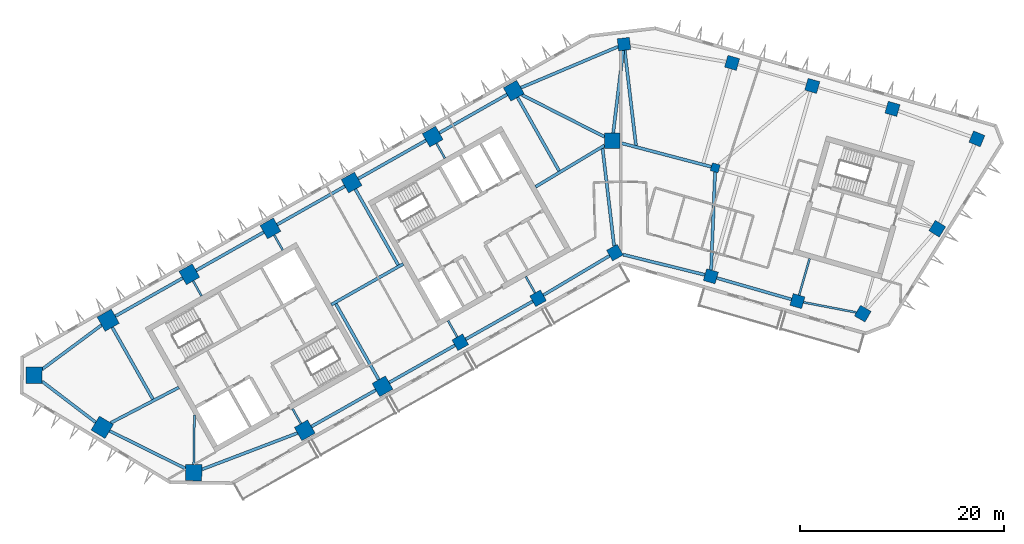
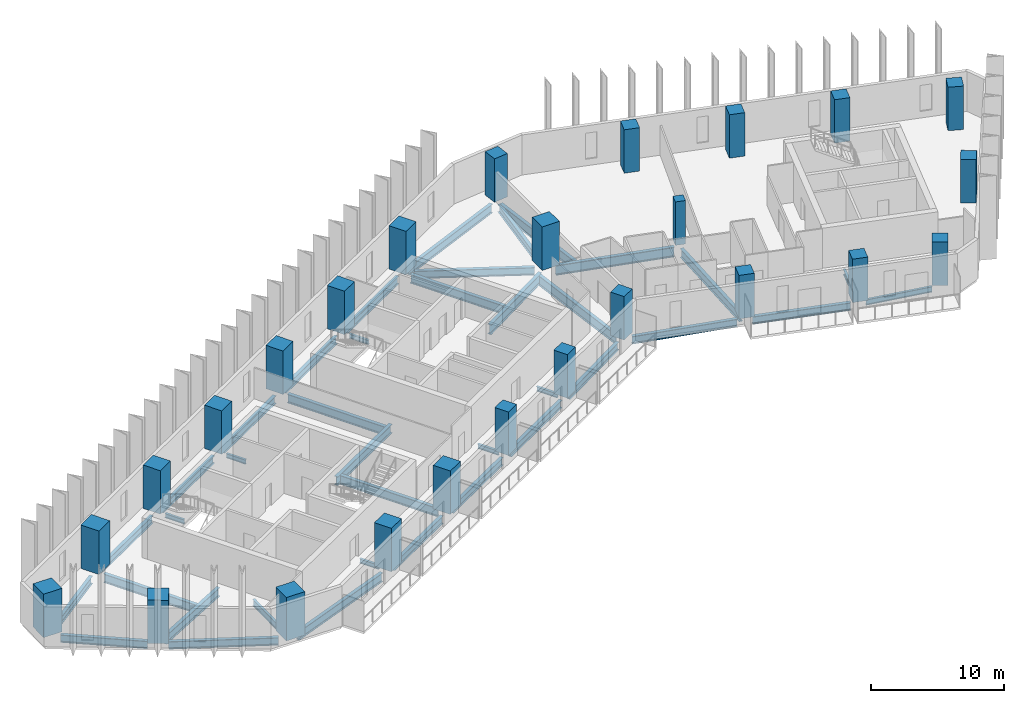
# One storey, part 1 of 10: 38 beams, 25 columns.
"""IFC4 building model written with IfcOpenShell, lengths in metres."""

from ifc_helpers import new_model, si_unit, direction, frame, origin, origin_2d, place, context, subcontext, project, spatial, rectangle, i_section, extrude, material, material_profile, profile_set, type_object, element, save


model = new_model("IFC4")

# Units and contexts
model_context = context("Model", 3, precision=1e-05, world=origin(), true_north=direction((0.0, 1.0)))
body_context = subcontext(model_context, "Body", "Model", "MODEL_VIEW")
ifc_project = project(units=[si_unit("LENGTHUNIT", "METRE"), si_unit("AREAUNIT", "SQUARE_METRE"), si_unit("VOLUMEUNIT", "CUBIC_METRE"), si_unit("PLANEANGLEUNIT", "RADIAN"), si_unit("MASSUNIT", "GRAM", prefix="KILO")], contexts=[model_context])

# Site, building, storey
site_placement = place(None, origin())
site = spatial("IfcSite", under=ifc_project, at=site_placement, CompositionType="ELEMENT")
building_placement = place(site_placement, origin())
building = spatial("IfcBuilding", under=site, at=building_placement, Name="Binnacle Exchange Tower", CompositionType="ELEMENT")
storey_placement = place(building_placement, frame((0.0, 0.0, 186.89990234375)))
storey = spatial("IfcBuildingStorey", under=building, at=storey_placement, Name="L40", CompositionType="ELEMENT", Elevation=186.89990234375)

# Columns
ifc_material_1 = material(Name="Concrete C60/75", Category="concrete")
ifc_material_profile_1 = material_profile(ifc_material_1, rectangle(XDim=0.800048828125, YDim=0.800048828125, at=origin_2d()), Name="Column 800x800 C60/75")
ifc_profile_set_1 = profile_set([ifc_material_profile_1], Name="Concrete C60/75")
column_type_1 = type_object("IfcColumnType", Name="Column 800x800 C60/75", PredefinedType="COLUMN", material=ifc_profile_set_1)
column_placement = place(storey_placement, frame((9.240966796875, 57.35009765625, 0.0), z_axis=(0.0, 0.0, 1.0), x_axis=(0.961261695938, -0.275637355817, 0.0)))
element("IfcColumn", 1, at=column_placement, inside=storey, type_object=column_type_1, Name="S:COL:C19:L40", PredefinedType="COLUMN", context=body_context, shape_type="SweptSolid", body=[
    extrude(rectangle(XDim=0.800048828125, YDim=0.800048828125, at=origin_2d()), origin(), (0.0, 0.0, 1.0), 4.0),
])
ifc_material_2 = material(Name="Concrete C70/85", Category="concrete")
ifc_material_profile_2 = material_profile(ifc_material_2, rectangle(XDim=1.199951171875, YDim=1.199951171875, at=origin_2d()), Name="Mega column 1200x1200 C70/85")
ifc_profile_set_2 = profile_set([ifc_material_profile_2], Name="Concrete C70/85")
column_type_2 = type_object("IfcColumnType", Name="Mega column 1200x1200 C70/85", PredefinedType="COLUMN", material=ifc_profile_set_2)
for number, where, z_axis, x_axis, name in (
    (2, (26.602783203125, 63.12353515625, 0.0), (0.0, 0.0, 1.0), (-0.961261695938, 0.275637355817, 0.0), "S:COL:MC52:L40"),
    (3, (18.746337890625, 65.376220703125, 0.0), (0.0, 0.0, 1.0), (-0.961261695938, 0.275637355817, 0.0), "S:COL:MC50:L40"),
    (4, (10.889892578125, 67.62890625, 0.0), (0.0, 0.0, 1.0), (-0.961261695938, 0.275637355817, 0.0), "S:COL:MC48:L40"),
    (5, (0.300048828125, 69.464111328125, 0.0), (0.0, 0.0, 1.0), (-0.993068456955, -0.117537397458, 0.0), "S:COL:MC47:L40"),
    (6, (-15.736328125, 40.257080078125, 0.0), (0.0, 0.0, 1.0), (0.87035569594, 0.492423560103, 0.0), "S:COL:MC24:L40"),
    (7, (-8.116943359375, 44.568115234375, 0.0), (0.0, 0.0, 1.0), (0.87035569594, 0.492423560103, 0.0), "S:COL:MC35:L40"),
    (8, (-0.5908203125, 49.04443359375, 0.0), (0.0, 0.0, 1.0), (0.87035569594, 0.492423560103, 0.0), "S:COL:MC46:L40"),
    (9, (8.8095703125, 46.722412109375, 0.0), (0.0, 0.0, 1.0), (0.961261695938, -0.275637355817, 0.0), "S:COL:MC49:L40"),
    (10, (17.2880859375, 44.291015625, 0.0), (0.0, 0.0, 1.0), (0.961261695938, -0.275637355817, 0.0), "S:COL:MC51:L40"),
    (11, (23.690185546875, 43.062744140625, 0.0), (0.0, 0.0, 1.0), (-0.86532642813, 0.501208711795, 0.0), "S:COL:MC53:L40"),
    (12, (30.989501953125, 51.38623046875, 0.0), (0.0, 0.0, 1.0), (0.529919264233, 0.848048096156, 0.0), "S:COL:MC55:L40"),
    (13, (34.870361328125, 60.18701171875, 0.0), (0.0, 0.0, 1.0), (-0.922814001807, 0.385245789164, 0.0), "S:COL:MC54:L40"),
):
    element("IfcColumn", number, at=place(storey_placement, frame(where, z_axis=z_axis, x_axis=x_axis)), inside=storey, type_object=column_type_2, Name=name, PredefinedType="COLUMN", context=body_context, shape_type="SweptSolid", body=[
        extrude(rectangle(XDim=1.199951171875, YDim=1.199951171875, at=origin_2d()), origin(), (0.0, 0.0, 1.0), 4.0),
    ])
ifc_material_profile_3 = material_profile(ifc_material_2, rectangle(XDim=1.5, YDim=1.5, at=origin_2d()), Name="Mega column 1500x1500 C70/85")
ifc_profile_set_3 = profile_set([ifc_material_profile_3], Name="Concrete C70/85")
column_type_3 = type_object("IfcColumnType", Name="Mega column 1500x1500 C70/85", PredefinedType="COLUMN", material=ifc_profile_set_3)
for number, where, z_axis, x_axis, name in (
    (14, (-10.4951171875, 64.901611328125, 0.0), (0.0, 0.0, 1.0), (-0.87035569594, -0.492423560103, 0.0), "S:COL:MC38:L40"),
    (15, (-18.44140625, 60.406005859375, 0.0), (0.0, 0.0, 1.0), (-0.87035569594, -0.492423560103, 0.0), "S:COL:MC29:L40"),
    (16, (-26.3876953125, 55.91015625, 0.0), (0.0, 0.0, 1.0), (-0.87035569594, -0.492423560103, 0.0), "S:COL:MC21:L40"),
    (17, (-34.333740234375, 51.414306640625, 0.0), (0.0, 0.0, 1.0), (-0.87035569594, -0.492423560103, 0.0), "S:COL:MC13:L40"),
    (18, (-42.280029296875, 46.918701171875, 0.0), (0.0, 0.0, 1.0), (-0.87035569594, -0.492423560103, 0.0), "S:COL:MC08:L40"),
    (19, (-30.9755859375, 31.63525390625, 0.0), (0.0, 0.0, 1.0), (0.87035569594, 0.492423560103, 0.0), "S:COL:MC07:L40"),
    (20, (-23.35595703125, 35.9462890625, 0.0), (0.0, 0.0, 1.0), (0.87035569594, 0.492423560103, 0.0), "S:COL:MC16:L40"),
    (21, (-0.85009765625, 60.0, 0.0), (0.0, 0.0, 1.0), (0.0, 1.0, 0.0), "S:COL:MC45:L40"),
):
    element("IfcColumn", number, at=place(storey_placement, frame(where, z_axis=z_axis, x_axis=x_axis)), inside=storey, type_object=column_type_3, Name=name, PredefinedType="COLUMN", context=body_context, shape_type="SweptSolid", body=[
        extrude(rectangle(XDim=1.5, YDim=1.5, at=origin_2d()), origin(), (0.0, 0.0, 1.0), 4.0),
    ])
ifc_material_profile_4 = material_profile(ifc_material_2, rectangle(XDim=1.60009765625, YDim=1.60009765625, at=origin_2d()), Name="Mega column 1600x1600 C70/85")
ifc_profile_set_4 = profile_set([ifc_material_profile_4], Name="Concrete C70/85")
column_type_4 = type_object("IfcColumnType", Name="Mega column 1600x1600 C70/85", PredefinedType="COLUMN", material=ifc_profile_set_4)
for number, where, z_axis, x_axis, name in (
    (22, (-50.226318359375, 42.4228515625, 0.0), (0.0, 0.0, 1.0), (-0.87035569594, -0.492423560103, 0.0), "S:COL:MC04:L40"),
    (23, (-57.492919921875, 37.02734375, 0.0), (0.0, 0.0, 1.0), (-0.013089595571, -0.999914327574, 0.0), "S:COL:MC02:L40"),
    (24, (-50.81201171875, 31.930908203125, 0.0), (0.0, 0.0, 1.0), (0.857167300702, -0.51503807491, 0.0), "S:COL:MC01:L40"),
    (25, (-41.857666015625, 27.494873046875, 0.0), (0.0, 0.0, 1.0), (0.999914327574, -0.013089595571, 0.0), "S:COL:MC03:L40"),
):
    element("IfcColumn", number, at=place(storey_placement, frame(where, z_axis=z_axis, x_axis=x_axis)), inside=storey, type_object=column_type_4, Name=name, PredefinedType="COLUMN", context=body_context, shape_type="SweptSolid", body=[
        extrude(rectangle(XDim=1.60009765625, YDim=1.60009765625, at=origin_2d()), origin(), (0.0, 0.0, 1.0), 4.0),
    ])

# Beams
ifc_material_3 = material(Name="Steel S355 (SHN355)", Category="steel")
ifc_material_profile_5 = material_profile(ifc_material_3, i_section(OverallWidth=0.200927734375, OverallDepth=0.506103515625, WebThickness=0.010986328125, FlangeThickness=0.01904296875, FilletRadius=0.02001953125, at=origin_2d()), Name="H 506x201x11x19")
ifc_profile_set_5 = profile_set([ifc_material_profile_5], Name="Steel S355 (SHN355)")
beam_type_1 = type_object("IfcBeamType", Name="Edge girder H 506x201x11x19 Steel S355 (SHN355)", PredefinedType="SPANDREL", material=ifc_profile_set_5)
beam_1_placement = place(storey_placement, frame((17.8798828125, 44.177490234375, -0.572998046875), z_axis=(0.982085171807, -0.188437563446, 0.0), x_axis=(0.188437563446, 0.982085171807, 0.0)))
element("IfcBeam", 26, at=beam_1_placement, inside=storey, type_object=beam_type_1, Name="S:BM:edge:L40:028", PredefinedType="SPANDREL", context=body_context, shape_type="SweptSolid", body=[
    extrude(i_section(OverallWidth=0.200927734375, OverallDepth=0.506103515625, WebThickness=0.010986328125, FlangeThickness=0.01904296875, FilletRadius=0.02001953125, at=origin_2d()), origin(), (0.0, 0.0, 1.0), 5.281005859375),
])
ifc_material_profile_6 = material_profile(ifc_material_3, i_section(OverallWidth=0.300048828125, OverallDepth=0.699951171875, WebThickness=0.012939453125, FlangeThickness=0.02392578125, FilletRadius=0.028076171875, at=origin_2d()), Name="H 700x300x13x24")
ifc_profile_set_6 = profile_set([ifc_material_profile_6], Name="Steel S355 (SHN355)")
beam_type_2 = type_object("IfcBeamType", Name="Edge girder H 700x300x13x24 Steel S355 (SHN355)", PredefinedType="SPANDREL", material=ifc_profile_set_6)
beam_2_placement = place(storey_placement, frame((-56.70068359375, 36.423095703125, -0.669921875), z_axis=(0.795078424379, -0.606506635649, 0.0), x_axis=(0.606506635649, 0.795078424379, 0.0)))
element("IfcBeam", 27, at=beam_2_placement, inside=storey, type_object=beam_type_2, Name="S:BM:edge:L40:011", PredefinedType="SPANDREL", context=body_context, shape_type="SweptSolid", body=[
    extrude(i_section(OverallWidth=0.300048828125, OverallDepth=0.699951171875, WebThickness=0.012939453125, FlangeThickness=0.02392578125, FilletRadius=0.028076171875, at=origin_2d()), origin(), (0.0, 0.0, 1.0), 6.6015625),
])
beam_3_placement = place(storey_placement, frame((-50.87353515625, 41.9423828125, -0.669921875), z_axis=(-0.802872533272, -0.596150732044, 0.0), x_axis=(0.596150732044, -0.802872533272, 0.0)))
element("IfcBeam", 28, at=beam_3_placement, inside=storey, type_object=beam_type_2, Name="S:BM:edge:L40:012", PredefinedType="SPANDREL", context=body_context, shape_type="SweptSolid", body=[
    extrude(i_section(OverallWidth=0.300048828125, OverallDepth=0.699951171875, WebThickness=0.012939453125, FlangeThickness=0.02392578125, FilletRadius=0.028076171875, at=origin_2d()), origin(), (0.0, 0.0, 1.0), 7.238525390625),
])
beam_4_placement = place(storey_placement, frame((-50.0927734375, 31.57470703125, -0.669921875), z_axis=(0.896061869104, -0.443929191131, 0.0), x_axis=(0.443929191131, 0.896061869104, 0.0)))
element("IfcBeam", 29, at=beam_4_placement, inside=storey, type_object=beam_type_2, Name="S:BM:edge:L40:013", PredefinedType="SPANDREL", context=body_context, shape_type="SweptSolid", body=[
    extrude(i_section(OverallWidth=0.300048828125, OverallDepth=0.699951171875, WebThickness=0.012939453125, FlangeThickness=0.02392578125, FilletRadius=0.028076171875, at=origin_2d()), origin(), (0.0, 0.0, 1.0), 8.30322265625),
])
beam_5_placement = place(storey_placement, frame((-42.932861328125, 46.54931640625, -0.669921875), z_axis=(-0.870352192811, -0.492429751811, 0.0), x_axis=(0.492429751811, -0.870352192811, 0.0)))
element("IfcBeam", 30, at=beam_5_placement, inside=storey, type_object=beam_type_2, Name="S:BM:edge:L40:014", PredefinedType="SPANDREL", context=body_context, shape_type="SweptSolid", body=[
    extrude(i_section(OverallWidth=0.300048828125, OverallDepth=0.699951171875, WebThickness=0.012939453125, FlangeThickness=0.02392578125, FilletRadius=0.028076171875, at=origin_2d()), origin(), (0.0, 0.0, 1.0), 7.57958984375),
])
beam_6_placement = place(storey_placement, frame((-34.986572265625, 51.045166015625, -0.669921875), z_axis=(-0.870355964277, -0.492423085818, 0.0), x_axis=(0.492423085818, -0.870355964277, 0.0)))
element("IfcBeam", 31, at=beam_6_placement, inside=storey, type_object=beam_type_2, Name="S:BM:edge:L40:016", PredefinedType="SPANDREL", context=body_context, shape_type="SweptSolid", body=[
    extrude(i_section(OverallWidth=0.300048828125, OverallDepth=0.699951171875, WebThickness=0.012939453125, FlangeThickness=0.02392578125, FilletRadius=0.028076171875, at=origin_2d()), origin(), (0.0, 0.0, 1.0), 7.6298828125),
])
beam_7_placement = place(storey_placement, frame((-30.32275390625, 32.004638671875, -0.669921875), z_axis=(0.870355920795, 0.492423162674, 0.0), x_axis=(-0.492423162674, 0.870355920795, 0.0)))
element("IfcBeam", 32, at=beam_7_placement, inside=storey, type_object=beam_type_2, Name="S:BM:edge:L40:017", PredefinedType="SPANDREL", context=body_context, shape_type="SweptSolid", body=[
    extrude(i_section(OverallWidth=0.300048828125, OverallDepth=0.699951171875, WebThickness=0.012939453125, FlangeThickness=0.02392578125, FilletRadius=0.028076171875, at=origin_2d()), origin(), (0.0, 0.0, 1.0), 7.25439453125),
])
beam_8_placement = place(storey_placement, frame((-27.040283203125, 55.541015625, -0.669921875), z_axis=(-0.870342250182, -0.492447324643, 0.0), x_axis=(0.492447324643, -0.870342250182, 0.0)))
element("IfcBeam", 33, at=beam_8_placement, inside=storey, type_object=beam_type_2, Name="S:BM:edge:L40:018", PredefinedType="SPANDREL", context=body_context, shape_type="SweptSolid", body=[
    extrude(i_section(OverallWidth=0.300048828125, OverallDepth=0.699951171875, WebThickness=0.012939453125, FlangeThickness=0.02392578125, FilletRadius=0.028076171875, at=origin_2d()), origin(), (0.0, 0.0, 1.0), 7.6298828125),
])
beam_9_placement = place(storey_placement, frame((-22.703125, 36.3154296875, -0.669921875), z_axis=(0.87035151347, 0.49243095252, 0.0), x_axis=(-0.49243095252, 0.87035151347, 0.0)))
element("IfcBeam", 34, at=beam_9_placement, inside=storey, type_object=beam_type_2, Name="S:BM:edge:L40:019", PredefinedType="SPANDREL", context=body_context, shape_type="SweptSolid", body=[
    extrude(i_section(OverallWidth=0.300048828125, OverallDepth=0.699951171875, WebThickness=0.012939453125, FlangeThickness=0.02392578125, FilletRadius=0.028076171875, at=origin_2d()), origin(), (0.0, 0.0, 1.0), 7.404541015625),
])
beam_10_placement = place(storey_placement, frame((-19.093994140625, 60.03662109375, -0.669921875), z_axis=(-0.870363722936, -0.492409372165, 0.0), x_axis=(0.492409372165, -0.870363722936, 0.0)))
element("IfcBeam", 35, at=beam_10_placement, inside=storey, type_object=beam_type_2, Name="S:BM:edge:L40:020", PredefinedType="SPANDREL", context=body_context, shape_type="SweptSolid", body=[
    extrude(i_section(OverallWidth=0.300048828125, OverallDepth=0.699951171875, WebThickness=0.012939453125, FlangeThickness=0.02392578125, FilletRadius=0.028076171875, at=origin_2d()), origin(), (0.0, 0.0, 1.0), 7.6298828125),
])
beam_11_placement = place(storey_placement, frame((-15.214111328125, 40.552734375, -0.669921875), z_axis=(0.870353295418, 0.492427802988, 0.0), x_axis=(-0.492427802988, 0.870353295418, 0.0)))
element("IfcBeam", 36, at=beam_11_placement, inside=storey, type_object=beam_type_2, Name="S:BM:edge:L40:021", PredefinedType="SPANDREL", context=body_context, shape_type="SweptSolid", body=[
    extrude(i_section(OverallWidth=0.300048828125, OverallDepth=0.699951171875, WebThickness=0.012939453125, FlangeThickness=0.02392578125, FilletRadius=0.028076171875, at=origin_2d()), origin(), (0.0, 0.0, 1.0), 7.554443359375),
])
beam_12_placement = place(storey_placement, frame((-11.14794921875, 64.532470703125, -0.669921875), z_axis=(-0.870355964277, -0.492423085818, 0.0), x_axis=(0.492423085818, -0.870355964277, 0.0)))
element("IfcBeam", 37, at=beam_12_placement, inside=storey, type_object=beam_type_2, Name="S:BM:edge:L40:022", PredefinedType="SPANDREL", context=body_context, shape_type="SweptSolid", body=[
    extrude(i_section(OverallWidth=0.300048828125, OverallDepth=0.699951171875, WebThickness=0.012939453125, FlangeThickness=0.02392578125, FilletRadius=0.028076171875, at=origin_2d()), origin(), (0.0, 0.0, 1.0), 7.6298828125),
])
beam_13_placement = place(storey_placement, frame((-7.60107421875, 44.875, -0.669921875), z_axis=(0.85946222832, 0.511199254783, 0.0), x_axis=(-0.511199254783, 0.85946222832, 0.0)))
element("IfcBeam", 38, at=beam_13_placement, inside=storey, type_object=beam_type_2, Name="S:BM:edge:L40:023", PredefinedType="SPANDREL", context=body_context, shape_type="SweptSolid", body=[
    extrude(i_section(OverallWidth=0.300048828125, OverallDepth=0.699951171875, WebThickness=0.012939453125, FlangeThickness=0.02392578125, FilletRadius=0.028076171875, at=origin_2d()), origin(), (0.0, 0.0, 1.0), 7.556396484375),
])
beam_14_placement = place(storey_placement, frame((0.21044921875, 48.846435546875, -0.669921875), z_axis=(0.970817017645, -0.239821429924, 0.0), x_axis=(0.239821429924, 0.970817017645, 0.0)))
element("IfcBeam", 39, at=beam_14_placement, inside=storey, type_object=beam_type_2, Name="S:BM:edge:L40:025", PredefinedType="SPANDREL", context=body_context, shape_type="SweptSolid", body=[
    extrude(i_section(OverallWidth=0.300048828125, OverallDepth=0.699951171875, WebThickness=0.012939453125, FlangeThickness=0.02392578125, FilletRadius=0.028076171875, at=origin_2d()), origin(), (0.0, 0.0, 1.0), 8.257080078125),
])
beam_15_placement = place(storey_placement, frame((9.38623046875, 46.556884765625, -0.669921875), z_axis=(0.961266012815, -0.275622300635, 0.0), x_axis=(0.275622300635, 0.961266012815, 0.0)))
element("IfcBeam", 40, at=beam_15_placement, inside=storey, type_object=beam_type_2, Name="S:BM:edge:L40:026", PredefinedType="SPANDREL", context=body_context, shape_type="SweptSolid", body=[
    extrude(i_section(OverallWidth=0.300048828125, OverallDepth=0.699951171875, WebThickness=0.012939453125, FlangeThickness=0.02392578125, FilletRadius=0.028076171875, at=origin_2d()), origin(), (0.0, 0.0, 1.0), 7.620361328125),
])
ifc_material_profile_7 = material_profile(ifc_material_3, i_section(OverallWidth=0.300048828125, OverallDepth=0.800048828125, WebThickness=0.013916015625, FlangeThickness=0.02587890625, FilletRadius=0.028076171875, at=origin_2d()), Name="H 800x300x14x26")
ifc_profile_set_7 = profile_set([ifc_material_profile_7], Name="Steel S355 (SHN355)")
beam_type_3 = type_object("IfcBeamType", Name="Edge girder H 800x300x14x26 Steel S355 (SHN355)", PredefinedType="SPANDREL", material=ifc_profile_set_7)
beam_16_placement = place(storey_placement, frame((-41.0537109375, 27.80078125, -0.719970703125), z_axis=(0.934633884233, 0.355611448695, 0.0), x_axis=(-0.355611448695, 0.934633884233, 0.0)))
element("IfcBeam", 41, at=beam_16_placement, inside=storey, type_object=beam_type_3, Name="S:BM:edge:L40:015", PredefinedType="SPANDREL", context=body_context, shape_type="SweptSolid", body=[
    extrude(i_section(OverallWidth=0.300048828125, OverallDepth=0.800048828125, WebThickness=0.013916015625, FlangeThickness=0.02587890625, FilletRadius=0.028076171875, at=origin_2d()), origin(), (0.0, 0.0, 1.0), 10.024169921875),
])
beam_17_placement = place(storey_placement, frame((-0.275390625, 69.220947265625, -0.719970703125), z_axis=(-0.921111875234, -0.389297974953, 0.0), x_axis=(0.389297974953, -0.921111875234, 0.0)))
element("IfcBeam", 42, at=beam_17_placement, inside=storey, type_object=beam_type_3, Name="S:BM:edge:L40:024", PredefinedType="SPANDREL", context=body_context, shape_type="SweptSolid", body=[
    extrude(i_section(OverallWidth=0.300048828125, OverallDepth=0.800048828125, WebThickness=0.013916015625, FlangeThickness=0.02587890625, FilletRadius=0.028076171875, at=origin_2d()), origin(), (0.0, 0.0, 1.0), 10.340087890625),
])
ifc_material_profile_8 = material_profile(ifc_material_3, i_section(OverallWidth=0.199951171875, OverallDepth=0.39990234375, WebThickness=0.008056640625, FlangeThickness=0.012939453125, FilletRadius=0.01611328125, at=origin_2d()), Name="H 400x200x8x13")
ifc_profile_set_8 = profile_set([ifc_material_profile_8], Name="Steel S355 (SHN355)")
beam_type_4 = type_object("IfcBeamType", Name="Floor beam H 400x200x8x13 Steel S355 (SHN355)", PredefinedType="BEAM", material=ifc_profile_set_8)
beam_18_placement = place(storey_placement, frame((-41.91064453125, 46.265869140625, -0.52001953125), z_axis=(0.49243456751, -0.870349468157, 0.0), x_axis=(0.870349468157, 0.49243456751, 0.0)))
element("IfcBeam", 43, at=beam_18_placement, inside=storey, type_object=beam_type_4, Name="S:BM:cross:L40:035", PredefinedType="BEAM", context=body_context, shape_type="SweptSolid", body=[
    extrude(i_section(OverallWidth=0.199951171875, OverallDepth=0.39990234375, WebThickness=0.008056640625, FlangeThickness=0.012939453125, FilletRadius=0.01611328125, at=origin_2d()), origin(), (0.0, 0.0, 1.0), 1.68408203125),
])
beam_19_placement = place(storey_placement, frame((-33.964599609375, 50.76171875, -0.52001953125), z_axis=(0.492482237839, -0.870322495063, 0.0), x_axis=(0.870322495063, 0.492482237839, 0.0)))
element("IfcBeam", 44, at=beam_19_placement, inside=storey, type_object=beam_type_4, Name="S:BM:cross:L40:037", PredefinedType="BEAM", context=body_context, shape_type="SweptSolid", body=[
    extrude(i_section(OverallWidth=0.199951171875, OverallDepth=0.39990234375, WebThickness=0.008056640625, FlangeThickness=0.012939453125, FilletRadius=0.01611328125, at=origin_2d()), origin(), (0.0, 0.0, 1.0), 1.6845703125),
])
for number, where, z_axis, x_axis, name in (
    (45, (-31.344970703125, 32.2880859375, -0.52001953125), (-0.49243456751, 0.870349468157, 0.0), (-0.870349468157, -0.49243456751, 0.0), "S:BM:cross:L40:038"),
    (46, (-18.072021484375, 59.753173828125, -0.52001953125), (0.49243456751, -0.870349468157, 0.0), (0.870349468157, 0.49243456751, 0.0), "S:BM:cross:L40:041"),
):
    element("IfcBeam", number, at=place(storey_placement, frame(where, z_axis=z_axis, x_axis=x_axis)), inside=storey, type_object=beam_type_4, Name=name, PredefinedType="BEAM", context=body_context, shape_type="SweptSolid", body=[
        extrude(i_section(OverallWidth=0.199951171875, OverallDepth=0.39990234375, WebThickness=0.008056640625, FlangeThickness=0.012939453125, FilletRadius=0.01611328125, at=origin_2d()), origin(), (0.0, 0.0, 1.0), 1.68408203125),
    ])
beam_20_placement = place(storey_placement, frame((-16.031982421875, 40.779296875, -0.52001953125), z_axis=(-0.492307212856, 0.870421511781, 0.0), x_axis=(-0.870421511781, -0.492307212856, 0.0)))
element("IfcBeam", 47, at=beam_20_placement, inside=storey, type_object=beam_type_4, Name="S:BM:cross:L40:042", PredefinedType="BEAM", context=body_context, shape_type="SweptSolid", body=[
    extrude(i_section(OverallWidth=0.199951171875, OverallDepth=0.39990234375, WebThickness=0.008056640625, FlangeThickness=0.012939453125, FilletRadius=0.01611328125, at=origin_2d()), origin(), (0.0, 0.0, 1.0), 1.83447265625),
])
beam_21_placement = place(storey_placement, frame((-8.412353515625, 45.09033203125, -0.52001953125), z_axis=(-0.492465079532, 0.87033220407, 0.0), x_axis=(-0.87033220407, -0.492465079532, 0.0)))
element("IfcBeam", 48, at=beam_21_placement, inside=storey, type_object=beam_type_4, Name="S:BM:cross:L40:044", PredefinedType="BEAM", context=body_context, shape_type="SweptSolid", body=[
    extrude(i_section(OverallWidth=0.199951171875, OverallDepth=0.39990234375, WebThickness=0.008056640625, FlangeThickness=0.012939453125, FilletRadius=0.01611328125, at=origin_2d()), origin(), (0.0, 0.0, 1.0), 1.834228515625),
])
ifc_material_profile_9 = material_profile(ifc_material_3, i_section(OverallWidth=0.199951171875, OverallDepth=0.5, WebThickness=0.010009765625, FlangeThickness=0.01611328125, FilletRadius=0.02001953125, at=origin_2d()), Name="H 500x200x10x16")
ifc_profile_set_9 = profile_set([ifc_material_profile_9], Name="Steel S355 (SHN355)")
beam_type_5 = type_object("IfcBeamType", Name="Floor beam H 500x200x10x16 Steel S355 (SHN355)", PredefinedType="BEAM", material=ifc_profile_set_9)
beam_22_placement = place(storey_placement, frame((17.45361328125, 44.867919921875, -0.56982421875), z_axis=(0.275644746045, 0.961259576794, 0.0), x_axis=(-0.961259576794, 0.275644746045, 0.0)))
element("IfcBeam", 49, at=beam_22_placement, inside=storey, type_object=beam_type_5, Name="S:BM:cross:L40:049", PredefinedType="BEAM", context=body_context, shape_type="SweptSolid", body=[
    extrude(i_section(OverallWidth=0.199951171875, OverallDepth=0.5, WebThickness=0.010009765625, FlangeThickness=0.01611328125, FilletRadius=0.02001953125, at=origin_2d()), origin(), (0.0, 0.0, 1.0), 3.735107421875),
])
ifc_material_profile_10 = material_profile(ifc_material_3, i_section(OverallWidth=0.200927734375, OverallDepth=0.60595703125, WebThickness=0.011962890625, FlangeThickness=0.02001953125, FilletRadius=0.02197265625, at=origin_2d()), Name="H 606x201x12x20")
ifc_profile_set_10 = profile_set([ifc_material_profile_10], Name="Steel S355 (SHN355)")
beam_type_6 = type_object("IfcBeamType", Name="Floor beam H 606x201x12x20 Steel S355 (SHN355)", PredefinedType="BEAM", material=ifc_profile_set_10)
beam_23_placement = place(storey_placement, frame((-41.84716796875, 28.294677734375, -0.622802734375), z_axis=(0.013085908175, 0.999914375838, 0.0), x_axis=(-0.999914375838, 0.013085908175, 0.0)))
element("IfcBeam", 50, at=beam_23_placement, inside=storey, type_object=beam_type_6, Name="S:BM:cross:L40:036", PredefinedType="BEAM", context=body_context, shape_type="SweptSolid", body=[
    extrude(i_section(OverallWidth=0.200927734375, OverallDepth=0.60595703125, WebThickness=0.011962890625, FlangeThickness=0.02001953125, FilletRadius=0.02197265625, at=origin_2d()), origin(), (0.0, 0.0, 1.0), 4.850830078125),
])
ifc_material_profile_11 = material_profile(ifc_material_3, i_section(OverallWidth=0.302001953125, OverallDepth=0.80810546875, WebThickness=0.01611328125, FlangeThickness=0.030029296875, FilletRadius=0.028076171875, at=origin_2d()), Name="H 808x302x16x30")
ifc_profile_set_11 = profile_set([ifc_material_profile_11], Name="Steel S355 (SHN355)")
beam_type_7 = type_object("IfcBeamType", Name="Floor beam H 808x302x16x30 Steel S355 (SHN355)", PredefinedType="BEAM", material=ifc_profile_set_11)
beam_24_placement = place(storey_placement, frame((-49.832275390625, 41.7265625, -0.723876953125), z_axis=(0.492430056331, -0.870352020519, 0.0), x_axis=(0.870352020519, 0.492430056331, 0.0)))
element("IfcBeam", 51, at=beam_24_placement, inside=storey, type_object=beam_type_7, Name="S:BM:cross:L40:034", PredefinedType="BEAM", context=body_context, shape_type="SweptSolid", body=[
    extrude(i_section(OverallWidth=0.302001953125, OverallDepth=0.80810546875, WebThickness=0.01611328125, FlangeThickness=0.030029296875, FilletRadius=0.028076171875, at=origin_2d()), origin(), (0.0, 0.0, 1.0), 8.09130859375),
])
for number, where, z_axis, x_axis, name in (
    (52, (-26.018310546875, 55.25732421875, -0.723876953125), (0.4924220214, -0.870356566495, 0.0), (0.870356566495, 0.4924220214, 0.0), "S:BM:cross:L40:039"),
    (53, (-23.725341796875, 36.59912109375, -0.723876953125), (-0.4924220214, 0.870356566495, 0.0), (-0.870356566495, -0.4924220214, 0.0), "S:BM:cross:L40:040"),
):
    element("IfcBeam", number, at=place(storey_placement, frame(where, z_axis=z_axis, x_axis=x_axis)), inside=storey, type_object=beam_type_7, Name=name, PredefinedType="BEAM", context=body_context, shape_type="SweptSolid", body=[
        extrude(i_section(OverallWidth=0.302001953125, OverallDepth=0.80810546875, WebThickness=0.01611328125, FlangeThickness=0.030029296875, FilletRadius=0.028076171875, at=origin_2d()), origin(), (0.0, 0.0, 1.0), 8.5341796875),
    ])
beam_25_placement = place(storey_placement, frame((-10.125732421875, 64.248779296875, -0.723876953125), z_axis=(0.492423973828, -0.870355461866, 0.0), x_axis=(0.870355461866, 0.492423973828, 0.0)))
element("IfcBeam", 54, at=beam_25_placement, inside=storey, type_object=beam_type_7, Name="S:BM:cross:L40:043", PredefinedType="BEAM", context=body_context, shape_type="SweptSolid", body=[
    extrude(i_section(OverallWidth=0.302001953125, OverallDepth=0.80810546875, WebThickness=0.01611328125, FlangeThickness=0.030029296875, FilletRadius=0.028076171875, at=origin_2d()), origin(), (0.0, 0.0, 1.0), 8.269287109375),
])
ifc_material_profile_12 = material_profile(ifc_material_3, i_section(OverallWidth=0.302001953125, OverallDepth=0.912109375, WebThickness=0.01806640625, FlangeThickness=0.033935546875, FilletRadius=0.028076171875, at=origin_2d()), Name="H 912x302x18x34")
ifc_profile_set_12 = profile_set([ifc_material_profile_12], Name="Steel S355 (SHN355)")
beam_type_8 = type_object("IfcBeamType", Name="Floor beam H 912x302x18x34 Steel S355 (SHN355)", PredefinedType="BEAM", material=ifc_profile_set_12)
beam_26_placement = place(storey_placement, frame((-0.66748046875, 49.690673828125, -0.77587890625), z_axis=(-0.117518220547, 0.993070726504, 0.0), x_axis=(-0.993070726504, -0.117518220547, 0.0)))
element("IfcBeam", 55, at=beam_26_placement, inside=storey, type_object=beam_type_8, Name="S:BM:cross:L40:045", PredefinedType="BEAM", context=body_context, shape_type="SweptSolid", body=[
    extrude(i_section(OverallWidth=0.302001953125, OverallDepth=0.912109375, WebThickness=0.01806640625, FlangeThickness=0.033935546875, FilletRadius=0.028076171875, at=origin_2d()), origin(), (0.0, 0.0, 1.0), 9.645751953125),
])
beam_27_placement = place(storey_placement, frame((0.37060546875, 68.868408203125, -0.77587890625), z_axis=(0.117552497625, -0.993066669616, 0.0), x_axis=(0.993066669616, 0.117552497625, 0.0)))
element("IfcBeam", 56, at=beam_27_placement, inside=storey, type_object=beam_type_8, Name="S:BM:cross:L40:046", PredefinedType="BEAM", context=body_context, shape_type="SweptSolid", body=[
    extrude(i_section(OverallWidth=0.302001953125, OverallDepth=0.912109375, WebThickness=0.01806640625, FlangeThickness=0.033935546875, FilletRadius=0.028076171875, at=origin_2d()), origin(), (0.0, 0.0, 1.0), 9.39990234375),
])
ifc_material_profile_13 = material_profile(ifc_material_3, i_section(OverallWidth=0.300048828125, OverallDepth=0.699951171875, WebThickness=0.012939453125, FlangeThickness=0.02392578125, FilletRadius=0.028076171875, at=origin_2d()), Name="H 700x300x13x24")
ifc_profile_set_13 = profile_set([ifc_material_profile_13], Name="Steel S355 (SHN355)")
beam_type_9 = type_object("IfcBeamType", Name="Spine girder H 700x300x13x24 Steel S355 (SHN355)", PredefinedType="BEAM", material=ifc_profile_set_13)
beam_28_placement = place(storey_placement, frame((-0.7587890625, 60.75, -0.669921875), z_axis=(0.120620829002, 0.992698652971, 0.0), x_axis=(-0.992698652971, 0.120620829002, 0.0)))
element("IfcBeam", 57, at=beam_28_placement, inside=storey, type_object=beam_type_9, Name="S:BM:spine:L40:005", PredefinedType="BEAM", context=body_context, shape_type="SweptSolid", body=[
    extrude(i_section(OverallWidth=0.300048828125, OverallDepth=0.699951171875, WebThickness=0.012939453125, FlangeThickness=0.02392578125, FilletRadius=0.028076171875, at=origin_2d()), origin(), (0.0, 0.0, 1.0), 8.160888671875),
])
ifc_material_profile_14 = material_profile(ifc_material_3, i_section(OverallWidth=0.302001953125, OverallDepth=0.7080078125, WebThickness=0.014892578125, FlangeThickness=0.028076171875, FilletRadius=0.028076171875, at=origin_2d()), Name="H 708x302x15x28")
ifc_profile_set_14 = profile_set([ifc_material_profile_14], Name="Steel S355 (SHN355)")
beam_type_10 = type_object("IfcBeamType", Name="Spine girder H 708x302x15x28 Steel S355 (SHN355)", PredefinedType="BEAM", material=ifc_profile_set_14)
beam_29_placement = place(storey_placement, frame((-1.60009765625, 60.381103515625, -0.673828125), z_axis=(-0.891476459322, 0.453067017641, 0.0), x_axis=(-0.453067017641, -0.891476459322, 0.0)))
element("IfcBeam", 58, at=beam_29_placement, inside=storey, type_object=beam_type_10, Name="S:BM:spine:L40:004", PredefinedType="BEAM", context=body_context, shape_type="SweptSolid", body=[
    extrude(i_section(OverallWidth=0.302001953125, OverallDepth=0.7080078125, WebThickness=0.014892578125, FlangeThickness=0.028076171875, FilletRadius=0.028076171875, at=origin_2d()), origin(), (0.0, 0.0, 1.0), 9.07763671875),
])
ifc_material_profile_15 = material_profile(ifc_material_3, i_section(OverallWidth=0.302001953125, OverallDepth=0.80810546875, WebThickness=0.01611328125, FlangeThickness=0.030029296875, FilletRadius=0.028076171875, at=origin_2d()), Name="H 808x302x16x30")
ifc_profile_set_15 = profile_set([ifc_material_profile_15], Name="Steel S355 (SHN355)")
beam_type_11 = type_object("IfcBeamType", Name="Spine girder H 808x302x16x30 Steel S355 (SHN355)", PredefinedType="BEAM", material=ifc_profile_set_15)
beam_30_placement = place(storey_placement, frame((-49.979736328125, 32.3642578125, -0.723876953125), z_axis=(0.886978621009, 0.461810486968, 0.0), x_axis=(-0.461810486968, 0.886978621009, 0.0)))
element("IfcBeam", 59, at=beam_30_placement, inside=storey, type_object=beam_type_11, Name="S:BM:spine:L40:001", PredefinedType="BEAM", context=body_context, shape_type="SweptSolid", body=[
    extrude(i_section(OverallWidth=0.302001953125, OverallDepth=0.80810546875, WebThickness=0.01611328125, FlangeThickness=0.030029296875, FilletRadius=0.028076171875, at=origin_2d()), origin(), (0.0, 0.0, 1.0), 7.522216796875),
])
beam_31_placement = place(storey_placement, frame((-28.365478515625, 43.951416015625, -0.723876953125), z_axis=(0.870350319004, 0.492433063684, 0.0), x_axis=(-0.492433063684, 0.870350319004, 0.0)))
element("IfcBeam", 60, at=beam_31_placement, inside=storey, type_object=beam_type_11, Name="S:BM:spine:L40:002", PredefinedType="BEAM", context=body_context, shape_type="SweptSolid", body=[
    extrude(i_section(OverallWidth=0.302001953125, OverallDepth=0.80810546875, WebThickness=0.01611328125, FlangeThickness=0.030029296875, FilletRadius=0.028076171875, at=origin_2d()), origin(), (0.0, 0.0, 1.0), 8.0908203125),
])
beam_32_placement = place(storey_placement, frame((9.22412109375, 56.93896484375, -0.723876953125), z_axis=(-0.040556634715, -0.999177241224, 0.0), x_axis=(0.999177241224, -0.040556634715, 0.0)))
element("IfcBeam", 61, at=beam_32_placement, inside=storey, type_object=beam_type_11, Name="S:BM:spine:L40:007", PredefinedType="BEAM", context=body_context, shape_type="SweptSolid", body=[
    extrude(i_section(OverallWidth=0.302001953125, OverallDepth=0.80810546875, WebThickness=0.01611328125, FlangeThickness=0.030029296875, FilletRadius=0.028076171875, at=origin_2d()), origin(), (0.0, 0.0, 1.0), 9.607421875),
])
ifc_material_profile_16 = material_profile(ifc_material_3, i_section(OverallWidth=0.302001953125, OverallDepth=0.912109375, WebThickness=0.01806640625, FlangeThickness=0.033935546875, FilletRadius=0.028076171875, at=origin_2d()), Name="H 912x302x18x34")
ifc_profile_set_16 = profile_set([ifc_material_profile_16], Name="Steel S355 (SHN355)")
beam_type_12 = type_object("IfcBeamType", Name="Spine girder H 912x302x18x34 Steel S355 (SHN355)", PredefinedType="BEAM", material=ifc_profile_set_16)
beam_33_placement = place(storey_placement, frame((-8.36328125, 55.489990234375, -0.77587890625), z_axis=(0.857386401747, 0.514673253724, 0.0), x_axis=(-0.514673253724, 0.857386401747, 0.0)))
element("IfcBeam", 62, at=beam_33_placement, inside=storey, type_object=beam_type_12, Name="S:BM:spine:L40:003", PredefinedType="BEAM", context=body_context, shape_type="SweptSolid", body=[
    extrude(i_section(OverallWidth=0.302001953125, OverallDepth=0.912109375, WebThickness=0.01806640625, FlangeThickness=0.033935546875, FilletRadius=0.028076171875, at=origin_2d()), origin(), (0.0, 0.0, 1.0), 7.88818359375),
])
beam_34_placement = place(storey_placement, frame((-0.10009765625, 59.802978515625, -0.77587890625), z_axis=(0.967214448634, -0.253961041017, 0.0), x_axis=(0.253961041017, 0.967214448634, 0.0)))
element("IfcBeam", 63, at=beam_34_placement, inside=storey, type_object=beam_type_12, Name="S:BM:spine:L40:006", PredefinedType="BEAM", context=body_context, shape_type="SweptSolid", body=[
    extrude(i_section(OverallWidth=0.302001953125, OverallDepth=0.912109375, WebThickness=0.01806640625, FlangeThickness=0.033935546875, FilletRadius=0.028076171875, at=origin_2d()), origin(), (0.0, 0.0, 1.0), 9.257568359375),
])

save(model, "model.ifc")
